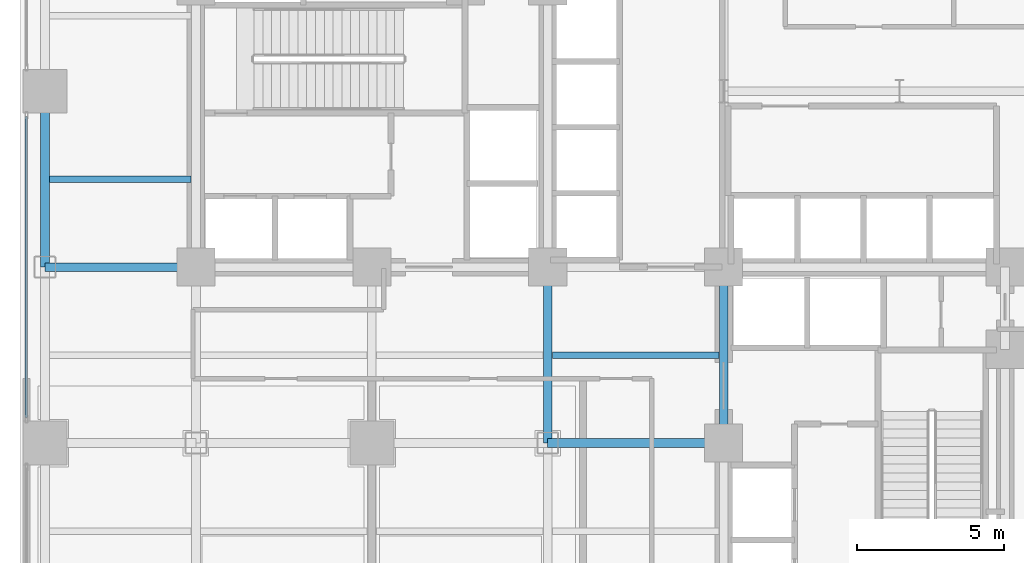
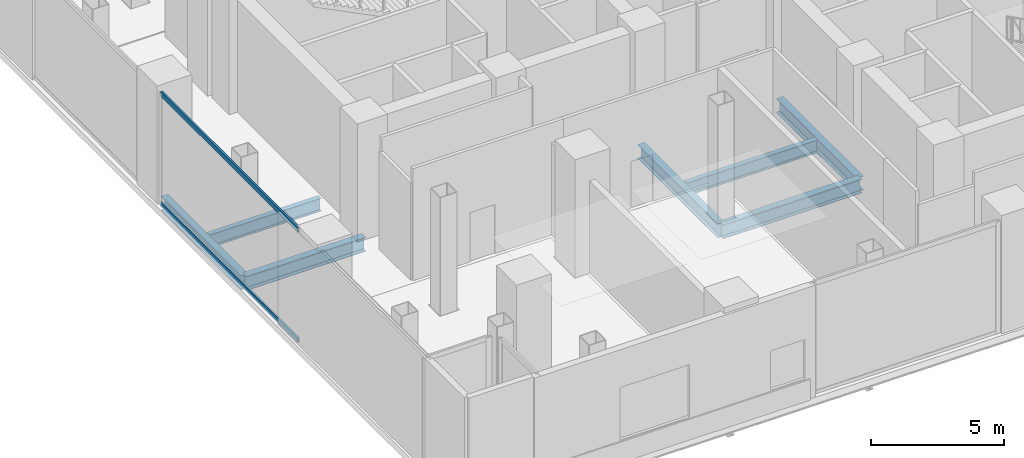
# One storey, part 6 of 27: 7 beams, 2 members, 1 element without a shape of its own.
"""IFC4 building model written with IfcOpenShell, lengths in metres."""

from ifc_helpers import new_model, si_unit, direction, frame, origin, origin_2d, place, context, subcontext, project, spatial, hollow_rectangle, i_section, extrude, material, layer, layer_set, material_profile, profile_set, type_object, element, aggregate, save


model = new_model("IFC4")

# Units and contexts
model_context = context("Model", 3, precision=1e-05, world=origin(), true_north=direction((0.0, 1.0)))
body_context = subcontext(model_context, "Body", "Model", "MODEL_VIEW")
ifc_project = project(units=[si_unit("LENGTHUNIT", "METRE"), si_unit("AREAUNIT", "SQUARE_METRE"), si_unit("VOLUMEUNIT", "CUBIC_METRE"), si_unit("PLANEANGLEUNIT", "RADIAN"), si_unit("MASSUNIT", "GRAM", prefix="KILO"), si_unit("THERMODYNAMICTEMPERATUREUNIT", "KELVIN"), si_unit("POWERUNIT", "WATT")], contexts=[model_context])

# Site, building, storey
site_placement = place(None, origin())
site = spatial("IfcSite", under=ifc_project, at=site_placement, CompositionType="ELEMENT")
building_placement = place(site_placement, origin())
building = spatial("IfcBuilding", under=site, at=building_placement, Name="Svarakhadi Broadcast Tower", CompositionType="ELEMENT")
storey_placement = place(building_placement, frame((0.0, 0.0, 5.699951171875)))
storey = spatial("IfcBuildingStorey", under=building, at=storey_placement, Name="L01", CompositionType="ELEMENT", Elevation=5.699951171875)

# Beams
ifc_material_1 = material(Name="Steel S355J2 (IS 2062 E350C)", Category="steel")
ifc_material_profile_1 = material_profile(ifc_material_1, i_section(OverallWidth=0.219970703125, OverallDepth=0.60009765625, WebThickness=0.011962890625, FlangeThickness=0.01904296875, FilletRadius=0.02392578125, at=origin_2d()), Name="NPB 600x220x122")
ifc_profile_set_1 = profile_set([ifc_material_profile_1], Name="Steel S355J2 (IS 2062 E350C)")
beam_type_1 = type_object("IfcBeamType", Name="Beam_NPB600", PredefinedType="BEAM", material=ifc_profile_set_1)
beam_1_placement = place(storey_placement, frame((1.010009765625, 21.0, -0.599853515625), z_axis=(1.0, 0.0, 0.0), x_axis=(0.0, 1.0, 0.0)))
element("IfcBeam", 1, at=beam_1_placement, inside=storey, type_object=beam_type_1, Name="L01 Secondary Composite Beam SB003", PredefinedType="BEAM", context=body_context, shape_type="SweptSolid", body=[
    extrude(i_section(OverallWidth=0.219970703125, OverallDepth=0.60009765625, WebThickness=0.011962890625, FlangeThickness=0.01904296875, FilletRadius=0.02392578125, at=origin_2d()), origin(), (0.0, 0.0, 1.0), 4.830078125),
])
beam_2_placement = place(storey_placement, frame((18.159912109375, 15.0, -0.599853515625), z_axis=(1.0, 0.0, 0.0), x_axis=(0.0, 1.0, 0.0)))
element("IfcBeam", 2, at=beam_2_placement, inside=storey, type_object=beam_type_1, Name="L01 Secondary Composite Beam SB015", PredefinedType="BEAM", context=body_context, shape_type="SweptSolid", body=[
    extrude(i_section(OverallWidth=0.219970703125, OverallDepth=0.60009765625, WebThickness=0.011962890625, FlangeThickness=0.01904296875, FilletRadius=0.02392578125, at=origin_2d()), origin(), (0.0, 0.0, 1.0), 5.68017578125),
])

# Curtain wall, members
ifc_material_2 = material(Name="Anodised Bronze Aluminium AA 6063-T6", Category="aluminium")
ifc_layer = layer(ifc_material_2, 0.25)
ifc_layer_set = layer_set([ifc_layer], Name="Anodised Bronze Aluminium AA 6063-T6")
curtain_wall_type = type_object("IfcCurtainWallType", Name="CW_Sys_01", PredefinedType="NOTDEFINED", material=ifc_layer_set)
curtain_wall_placement = place(storey_placement, origin())
curtain_wall = element("IfcCurtainWall", 3, at=curtain_wall_placement, inside=storey, type_object=curtain_wall_type, Name="L01 Unitised Facade Curtain Wall 02 Bay 2", PredefinedType="NOTDEFINED")
ifc_material_profile_2 = material_profile(ifc_material_2, hollow_rectangle(XDim=0.0849609375, YDim=0.219970703125, WallThickness=0.0048828125, at=origin_2d()), Name="ALU TRANSOM 220x85x5")
ifc_profile_set_2 = profile_set([ifc_material_profile_2], Name="Anodised Bronze Aluminium AA 6063-T6")
member_type = type_object("IfcMemberType", Name="CW_Sys_01_Trn", PredefinedType="USERDEFINED", material=ifc_profile_set_2)
member_1_placement = place(storey_placement, frame((0.219970703125, 12.864990234375, 0.04248046875), z_axis=(0.0, 1.0, 0.0), x_axis=(-1.0, 0.0, 0.0)))
member_1 = element("IfcMember", 4, at=member_1_placement, type_object=member_type, Name="CW-01 transom 1.1", ObjectType="TRANSOM", PredefinedType="USERDEFINED", context=body_context, shape_type="SweptSolid", body=[
    extrude(hollow_rectangle(XDim=0.0849609375, YDim=0.219970703125, WallThickness=0.0048828125, at=origin_2d()), origin(), (0.0, 0.0, 1.0), 10.27001953125),
])
member_2_placement = place(storey_placement, frame((0.219970703125, 12.864990234375, 5.08251953125), z_axis=(0.0, 1.0, 0.0), x_axis=(-1.0, 0.0, 0.0)))
member_2 = element("IfcMember", 5, at=member_2_placement, type_object=member_type, Name="CW-01 transom 1.2", ObjectType="TRANSOM", PredefinedType="USERDEFINED", context=body_context, shape_type="SweptSolid", body=[
    extrude(hollow_rectangle(XDim=0.0849609375, YDim=0.219970703125, WallThickness=0.0048828125, at=origin_2d()), origin(), (0.0, 0.0, 1.0), 10.27001953125),
])
aggregate(curtain_wall, [member_1, member_2])

# Beams
ifc_material_profile_3 = material_profile(ifc_material_1, i_section(OverallWidth=0.300048828125, OverallDepth=0.64990234375, WebThickness=0.01611328125, FlangeThickness=0.031005859375, FilletRadius=0.027099609375, at=origin_2d()), Name="WPB 650x300x225")
ifc_profile_set_3 = profile_set([ifc_material_profile_3], Name="Steel S355J2 (IS 2062 E350C)")
beam_type_2 = type_object("IfcBeamType", Name="Girder_WPB650", PredefinedType="USERDEFINED", material=ifc_profile_set_3)
beam_3_placement = place(storey_placement, frame((18.0, 12.0, -0.625), z_axis=(1.0, 0.0, 0.0), x_axis=(0.0, 1.0, 0.0)))
element("IfcBeam", 6, at=beam_3_placement, inside=storey, type_object=beam_type_2, Name="L01 Primary E-W Girder G017", ObjectType="GIRDER", PredefinedType="USERDEFINED", context=body_context, shape_type="SweptSolid", body=[
    extrude(i_section(OverallWidth=0.300048828125, OverallDepth=0.64990234375, WebThickness=0.01611328125, FlangeThickness=0.031005859375, FilletRadius=0.027099609375, at=origin_2d()), origin(), (0.0, 0.0, 1.0), 6.0),
])
beam_4_placement = place(storey_placement, frame((0.85009765625, 18.0, -0.625), z_axis=(1.0, 0.0, 0.0), x_axis=(0.0, 1.0, 0.0)))
element("IfcBeam", 7, at=beam_4_placement, inside=storey, type_object=beam_type_2, Name="L01 Primary E-W Girder G020", ObjectType="GIRDER", PredefinedType="USERDEFINED", context=body_context, shape_type="SweptSolid", body=[
    extrude(i_section(OverallWidth=0.300048828125, OverallDepth=0.64990234375, WebThickness=0.01611328125, FlangeThickness=0.031005859375, FilletRadius=0.027099609375, at=origin_2d()), origin(), (0.0, 0.0, 1.0), 5.14990234375),
])
for number, where, z_axis, x_axis, name in (
    (8, (0.85009765625, 18.0, -0.625), (0.0, 1.0, 0.0), (-1.0, 0.0, 0.0), "L01 Primary N-S Girder G046"),
    (9, (18.0, 12.0, -0.625), (0.0, 1.0, 0.0), (-1.0, 0.0, 0.0), "L01 Primary N-S Girder G060"),
    (10, (24.0, 12.0, -0.625), (0.0, 1.0, 0.0), (-1.0, 0.0, 0.0), "L01 Primary N-S Girder G066"),
):
    element("IfcBeam", number, at=place(storey_placement, frame(where, z_axis=z_axis, x_axis=x_axis)), inside=storey, type_object=beam_type_2, Name=name, ObjectType="GIRDER", PredefinedType="USERDEFINED", context=body_context, shape_type="SweptSolid", body=[
        extrude(i_section(OverallWidth=0.300048828125, OverallDepth=0.64990234375, WebThickness=0.01611328125, FlangeThickness=0.031005859375, FilletRadius=0.027099609375, at=origin_2d()), origin(), (0.0, 0.0, 1.0), 6.0),
    ])

save(model, "model.ifc")
